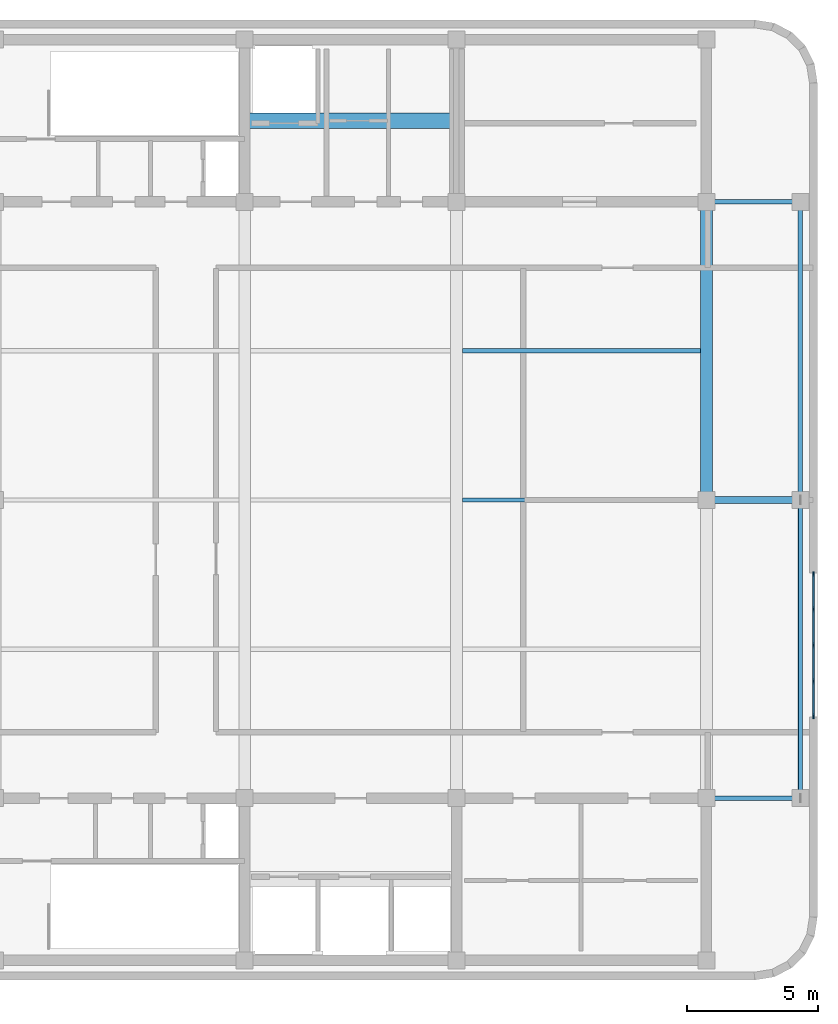
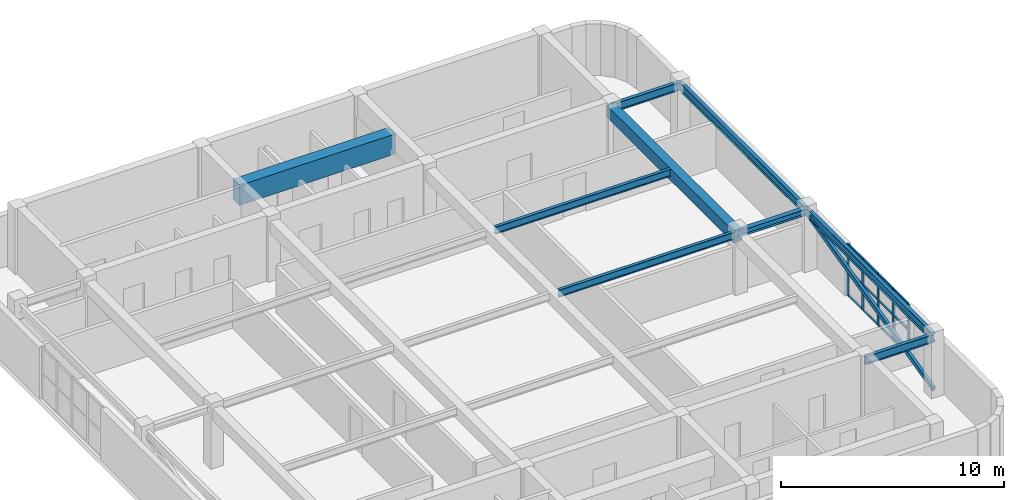
# One storey, part 3 of 9: 18 members, 9 beams, 1 element without a shape of its own.
"""IFC4 building model written with IfcOpenShell, lengths in metres."""

from ifc_helpers import new_model, si_unit, direction, frame, origin, origin_2d, place, context, subcontext, project, spatial, rectangle, hollow_rectangle, i_section, extrude, material, material_profile, profile_set, type_object, element, aggregate, save


model = new_model("IFC4")

# Units and contexts
model_context = context("Model", 3, precision=1e-05, world=origin(), true_north=direction((0.0, 1.0)))
body_context = subcontext(model_context, "Body", "Model", "MODEL_VIEW")
ifc_project = project(units=[si_unit("LENGTHUNIT", "METRE"), si_unit("AREAUNIT", "SQUARE_METRE"), si_unit("VOLUMEUNIT", "CUBIC_METRE"), si_unit("PLANEANGLEUNIT", "RADIAN"), si_unit("MASSUNIT", "GRAM", prefix="KILO")], contexts=[model_context])

# Site, building, storey
site_placement = place(None, origin())
site = spatial("IfcSite", under=ifc_project, at=site_placement, CompositionType="ELEMENT")
building_placement = place(site_placement, origin())
building = spatial("IfcBuilding", under=site, at=building_placement, Name="Svetorya Sky Lyceum", CompositionType="ELEMENT")
storey_placement = place(building_placement, frame((0.0, 0.0, 320.0)))
storey = spatial("IfcBuildingStorey", under=building, at=storey_placement, Name="C06", CompositionType="ELEMENT", Elevation=320.0)

# Beams
ifc_material_1 = material(Name="Concrete C60/75", Category="concrete")
ifc_material_profile_1 = material_profile(ifc_material_1, rectangle(XDim=0.60009765625, YDim=1.10009765625, at=origin_2d()), Name="RC COUPLING 600x1100")
ifc_profile_set_1 = profile_set([ifc_material_profile_1], Name="Concrete C60/75")
beam_type_1 = type_object("IfcBeamType", Name="BM-CPL-1100", PredefinedType="LINTEL", material=ifc_profile_set_1)
beam_1_placement = place(storey_placement, frame((35.14990234375, 42.699951171875, 2.760009765625), z_axis=(1.0, 0.0, 0.0), x_axis=(0.0, 1.0, 0.0)))
element("IfcBeam", 1, at=beam_1_placement, inside=storey, type_object=beam_type_1, Name="C06 NC Core Coupling Beam", PredefinedType="LINTEL", context=body_context, shape_type="SweptSolid", body=[
    extrude(rectangle(XDim=0.60009765625, YDim=1.10009765625, at=origin_2d()), origin(), (0.0, 0.0, 1.0), 8.10009765625),
])
ifc_material_2 = material(Name="Concrete C40/50", Category="concrete")
ifc_material_profile_2 = material_profile(ifc_material_2, rectangle(XDim=0.449951171875, YDim=0.64990234375, at=origin_2d()), Name="RC BEAM 450x650")
ifc_profile_set_2 = profile_set([ifc_material_profile_2], Name="Concrete C40/50")
beam_type_2 = type_object("IfcBeamType", Name="BM-RC-650", PredefinedType="BEAM", material=ifc_profile_set_2)
beam_2_placement = place(storey_placement, frame((52.800048828125, 28.199951171875, 2.985107421875), z_axis=(0.0, 1.0, 0.0), x_axis=(-1.0, 0.0, 0.0)))
element("IfcBeam", 2, at=beam_2_placement, inside=storey, type_object=beam_type_2, Name="C06 Central Bay Primary Girder CG-4B", PredefinedType="BEAM", context=body_context, shape_type="SweptSolid", body=[
    extrude(rectangle(XDim=0.449951171875, YDim=0.64990234375, at=origin_2d()), origin(), (0.0, 0.0, 1.0), 11.400146484375),
])
ifc_material_3 = material(Name="Steel S355", Category="steel")
ifc_material_profile_3 = material_profile(ifc_material_3, i_section(OverallWidth=0.25, OverallDepth=0.345947265625, WebThickness=0.009521484375, FlangeThickness=0.014404296875, at=origin_2d()), Name="GOST 35Sh2")
ifc_profile_set_3 = profile_set([ifc_material_profile_3], Name="Steel S355")
beam_type_3 = type_object("IfcBeamType", Name="BM-STL-35SH2", PredefinedType="BEAM", material=ifc_profile_set_3)
beam_3_placement = place(storey_placement, frame((52.800048828125, 28.199951171875, 3.136962890625), z_axis=(1.0, 0.0, 0.0), x_axis=(0.0, 1.0, 0.0)))
element("IfcBeam", 3, at=beam_3_placement, inside=storey, type_object=beam_type_3, Name="C06 East Wing Floor Joist E2", PredefinedType="BEAM", context=body_context, shape_type="SweptSolid", body=[
    extrude(i_section(OverallWidth=0.25, OverallDepth=0.345947265625, WebThickness=0.009521484375, FlangeThickness=0.014404296875, at=origin_2d()), origin(), (0.0, 0.0, 1.0), 3.58984375),
])
ifc_material_profile_4 = material_profile(ifc_material_3, i_section(OverallWidth=0.1650390625, OverallDepth=0.39990234375, WebThickness=0.008056640625, FlangeThickness=0.012939453125, at=origin_2d()), Name="GOST 40B2")
ifc_profile_set_4 = profile_set([ifc_material_profile_4], Name="Steel S355")
beam_type_4 = type_object("IfcBeamType", Name="BM-STL-40B2", PredefinedType="JOIST", material=ifc_profile_set_4)
for number, where, z_axis, x_axis, name in (
    (4, (43.47509765625, 28.199951171875, 3.110107421875), (1.0, 0.0, 0.0), (0.0, 1.0, 0.0), "C06 Central Floor Joist CJ-2.3"),
    (5, (43.47509765625, 33.89990234375, 3.110107421875), (1.0, 0.0, 0.0), (0.0, 1.0, 0.0), "C06 Central Floor Joist CJ-3.3"),
):
    element("IfcBeam", number, at=place(storey_placement, frame(where, z_axis=z_axis, x_axis=x_axis)), inside=storey, type_object=beam_type_4, Name=name, PredefinedType="JOIST", context=body_context, shape_type="SweptSolid", body=[
        extrude(i_section(OverallWidth=0.1650390625, OverallDepth=0.39990234375, WebThickness=0.008056640625, FlangeThickness=0.012939453125, at=origin_2d()), origin(), (0.0, 0.0, 1.0), 9.099853515625),
    ])
ifc_material_profile_5 = material_profile(ifc_material_3, i_section(OverallWidth=0.179931640625, OverallDepth=0.449951171875, WebThickness=0.009033203125, FlangeThickness=0.014404296875, at=origin_2d()), Name="GOST 45B2")
ifc_profile_set_5 = profile_set([ifc_material_profile_5], Name="Steel S355")
beam_type_5 = type_object("IfcBeamType", Name="BM-STL-45B2", PredefinedType="SPANDREL", material=ifc_profile_set_5)
for number, where, z_axis, x_axis, name in (
    (6, (52.800048828125, 16.800048828125, 3.0849609375), (1.0, 0.0, 0.0), (0.0, 1.0, 0.0), "C06 Tie Spandrel SE"),
    (7, (52.800048828125, 39.60009765625, 3.0849609375), (1.0, 0.0, 0.0), (0.0, 1.0, 0.0), "C06 Tie Spandrel NE"),
):
    element("IfcBeam", number, at=place(storey_placement, frame(where, z_axis=z_axis, x_axis=x_axis)), inside=storey, type_object=beam_type_5, Name=name, PredefinedType="SPANDREL", context=body_context, shape_type="SweptSolid", body=[
        extrude(i_section(OverallWidth=0.179931640625, OverallDepth=0.449951171875, WebThickness=0.009033203125, FlangeThickness=0.014404296875, at=origin_2d()), origin(), (0.0, 0.0, 1.0), 3.58984375),
    ])
beam_4_placement = place(storey_placement, frame((56.389892578125, 16.800048828125, 3.0849609375), z_axis=(0.0, 1.0, 0.0), x_axis=(-1.0, 0.0, 0.0)))
element("IfcBeam", 8, at=beam_4_placement, inside=storey, type_object=beam_type_5, Name="C06 East Spandrel 1", PredefinedType="SPANDREL", context=body_context, shape_type="SweptSolid", body=[
    extrude(i_section(OverallWidth=0.179931640625, OverallDepth=0.449951171875, WebThickness=0.009033203125, FlangeThickness=0.014404296875, at=origin_2d()), origin(), (0.0, 0.0, 1.0), 11.39990234375),
])
beam_5_placement = place(storey_placement, frame((56.389892578125, 28.199951171875, 3.0849609375), z_axis=(0.0, 1.0, 0.0), x_axis=(-1.0, 0.0, 0.0)))
element("IfcBeam", 9, at=beam_5_placement, inside=storey, type_object=beam_type_5, Name="C06 East Spandrel 2", PredefinedType="SPANDREL", context=body_context, shape_type="SweptSolid", body=[
    extrude(i_section(OverallWidth=0.179931640625, OverallDepth=0.449951171875, WebThickness=0.009033203125, FlangeThickness=0.014404296875, at=origin_2d()), origin(), (0.0, 0.0, 1.0), 11.400146484375),
])

# Curtain wall, members
ifc_material_4 = material(Name="Thermally broken anodized aluminium and triple low-E glass", Category="aluminium")
curtain_wall_type = type_object("IfcCurtainWallType", Name="CW5-LVR-PLT", PredefinedType="NOTDEFINED", material=ifc_material_4)
curtain_wall_placement = place(storey_placement, origin())
curtain_wall = element("IfcCurtainWall", 10, at=curtain_wall_placement, inside=storey, type_object=curtain_wall_type, Name="C06 Acoustic Plant Louvre Curtain Wall 12", PredefinedType="NOTDEFINED")
ifc_material_5 = material(Name="Thermally broken anodized aluminium EN AW-6060", Category="aluminium")
ifc_material_profile_6 = material_profile(ifc_material_5, rectangle(XDim=0.06494140625, YDim=0.179931640625, at=origin_2d()), Name="ALU MULLION 65x180")
ifc_profile_set_6 = profile_set([ifc_material_profile_6], Name="Thermally broken anodized aluminium EN AW-6060")
member_type_1 = type_object("IfcMemberType", Name="CWM-MUL-180", PredefinedType="MULLION", material=ifc_profile_set_6)
member_1_placement = place(storey_placement, frame((56.889892578125, 19.9326171875, 0.0), z_axis=(0.0, 0.0, 1.0), x_axis=(-1.0, 0.0, 0.0)))
member_1 = element("IfcMember", 11, at=member_1_placement, type_object=member_type_1, Name="CW-5 mullion 1", PredefinedType="MULLION", context=body_context, shape_type="SweptSolid", body=[
    extrude(rectangle(XDim=0.06494140625, YDim=0.179931640625, at=origin_2d()), origin(), (0.0, 0.0, 1.0), 2.830078125),
])
member_2_placement = place(storey_placement, frame((56.889892578125, 21.27490234375, 0.0), z_axis=(0.0, 0.0, 1.0), x_axis=(-1.0, 0.0, 0.0)))
member_2 = element("IfcMember", 12, at=member_2_placement, type_object=member_type_1, Name="CW-5 mullion 2", PredefinedType="MULLION", context=body_context, shape_type="SweptSolid", body=[
    extrude(rectangle(XDim=0.06494140625, YDim=0.179931640625, at=origin_2d()), origin(), (0.0, 0.0, 1.0), 2.830078125),
])
member_3_placement = place(storey_placement, frame((56.889892578125, 22.64990234375, 0.0), z_axis=(0.0, 0.0, 1.0), x_axis=(-1.0, 0.0, 0.0)))
member_3 = element("IfcMember", 13, at=member_3_placement, type_object=member_type_1, Name="CW-5 mullion 3", PredefinedType="MULLION", context=body_context, shape_type="SweptSolid", body=[
    extrude(rectangle(XDim=0.06494140625, YDim=0.179931640625, at=origin_2d()), origin(), (0.0, 0.0, 1.0), 2.830078125),
])
member_4_placement = place(storey_placement, frame((56.889892578125, 24.02490234375, 0.0), z_axis=(0.0, 0.0, 1.0), x_axis=(-1.0, 0.0, 0.0)))
member_4 = element("IfcMember", 14, at=member_4_placement, type_object=member_type_1, Name="CW-5 mullion 4", PredefinedType="MULLION", context=body_context, shape_type="SweptSolid", body=[
    extrude(rectangle(XDim=0.06494140625, YDim=0.179931640625, at=origin_2d()), origin(), (0.0, 0.0, 1.0), 2.830078125),
])
member_5_placement = place(storey_placement, frame((56.889892578125, 25.367431640625, 0.0), z_axis=(0.0, 0.0, 1.0), x_axis=(-1.0, 0.0, 0.0)))
member_5 = element("IfcMember", 15, at=member_5_placement, type_object=member_type_1, Name="CW-5 mullion 5", PredefinedType="MULLION", context=body_context, shape_type="SweptSolid", body=[
    extrude(rectangle(XDim=0.06494140625, YDim=0.179931640625, at=origin_2d()), origin(), (0.0, 0.0, 1.0), 2.830078125),
])
ifc_material_profile_7 = material_profile(ifc_material_5, rectangle(XDim=0.06494140625, YDim=0.139892578125, at=origin_2d()), Name="ALU TRANSOM 65x140")
ifc_profile_set_7 = profile_set([ifc_material_profile_7], Name="Thermally broken anodized aluminium EN AW-6060")
member_type_2 = type_object("IfcMemberType", Name="CWM-TRN-140", PredefinedType="USERDEFINED", material=ifc_profile_set_7)
member_6_placement = place(storey_placement, frame((56.889892578125, 19.96337890625, 0.032470703125), z_axis=(0.0, 1.0, 0.0), x_axis=(-1.0, 0.0, 0.0)))
member_6 = element("IfcMember", 16, at=member_6_placement, type_object=member_type_2, Name="CW-5 transom 1.1", ObjectType="TRANSOM", PredefinedType="USERDEFINED", context=body_context, shape_type="SweptSolid", body=[
    extrude(rectangle(XDim=0.06494140625, YDim=0.139892578125, at=origin_2d()), origin(), (0.0, 0.0, 1.0), 1.280517578125),
])
member_7_placement = place(storey_placement, frame((56.889892578125, 19.96337890625, 1.4150390625), z_axis=(0.0, 1.0, 0.0), x_axis=(-1.0, 0.0, 0.0)))
member_7 = element("IfcMember", 17, at=member_7_placement, type_object=member_type_2, Name="CW-5 transom 1.2", ObjectType="TRANSOM", PredefinedType="USERDEFINED", context=body_context, shape_type="SweptSolid", body=[
    extrude(rectangle(XDim=0.06494140625, YDim=0.139892578125, at=origin_2d()), origin(), (0.0, 0.0, 1.0), 1.280517578125),
])
member_8_placement = place(storey_placement, frame((56.889892578125, 19.96337890625, 2.797607421875), z_axis=(0.0, 1.0, 0.0), x_axis=(-1.0, 0.0, 0.0)))
member_8 = element("IfcMember", 18, at=member_8_placement, type_object=member_type_2, Name="CW-5 transom 1.3", ObjectType="TRANSOM", PredefinedType="USERDEFINED", context=body_context, shape_type="SweptSolid", body=[
    extrude(rectangle(XDim=0.06494140625, YDim=0.139892578125, at=origin_2d()), origin(), (0.0, 0.0, 1.0), 1.280517578125),
])
member_9_placement = place(storey_placement, frame((56.889892578125, 21.305908203125, 0.032470703125), z_axis=(0.0, 1.0, 0.0), x_axis=(-1.0, 0.0, 0.0)))
member_9 = element("IfcMember", 19, at=member_9_placement, type_object=member_type_2, Name="CW-5 transom 2.1", ObjectType="TRANSOM", PredefinedType="USERDEFINED", context=body_context, shape_type="SweptSolid", body=[
    extrude(rectangle(XDim=0.06494140625, YDim=0.139892578125, at=origin_2d()), origin(), (0.0, 0.0, 1.0), 1.31298828125),
])
member_10_placement = place(storey_placement, frame((56.889892578125, 21.305908203125, 1.4150390625), z_axis=(0.0, 1.0, 0.0), x_axis=(-1.0, 0.0, 0.0)))
member_10 = element("IfcMember", 20, at=member_10_placement, type_object=member_type_2, Name="CW-5 transom 2.2", ObjectType="TRANSOM", PredefinedType="USERDEFINED", context=body_context, shape_type="SweptSolid", body=[
    extrude(rectangle(XDim=0.06494140625, YDim=0.139892578125, at=origin_2d()), origin(), (0.0, 0.0, 1.0), 1.31298828125),
])
member_11_placement = place(storey_placement, frame((56.889892578125, 21.305908203125, 2.797607421875), z_axis=(0.0, 1.0, 0.0), x_axis=(-1.0, 0.0, 0.0)))
member_11 = element("IfcMember", 21, at=member_11_placement, type_object=member_type_2, Name="CW-5 transom 2.3", ObjectType="TRANSOM", PredefinedType="USERDEFINED", context=body_context, shape_type="SweptSolid", body=[
    extrude(rectangle(XDim=0.06494140625, YDim=0.139892578125, at=origin_2d()), origin(), (0.0, 0.0, 1.0), 1.31298828125),
])
member_12_placement = place(storey_placement, frame((56.889892578125, 22.680908203125, 0.032470703125), z_axis=(0.0, 1.0, 0.0), x_axis=(-1.0, 0.0, 0.0)))
member_12 = element("IfcMember", 22, at=member_12_placement, type_object=member_type_2, Name="CW-5 transom 3.1", ObjectType="TRANSOM", PredefinedType="USERDEFINED", context=body_context, shape_type="SweptSolid", body=[
    extrude(rectangle(XDim=0.06494140625, YDim=0.139892578125, at=origin_2d()), origin(), (0.0, 0.0, 1.0), 1.31298828125),
])
member_13_placement = place(storey_placement, frame((56.889892578125, 22.680908203125, 1.4150390625), z_axis=(0.0, 1.0, 0.0), x_axis=(-1.0, 0.0, 0.0)))
member_13 = element("IfcMember", 23, at=member_13_placement, type_object=member_type_2, Name="CW-5 transom 3.2", ObjectType="TRANSOM", PredefinedType="USERDEFINED", context=body_context, shape_type="SweptSolid", body=[
    extrude(rectangle(XDim=0.06494140625, YDim=0.139892578125, at=origin_2d()), origin(), (0.0, 0.0, 1.0), 1.31298828125),
])
member_14_placement = place(storey_placement, frame((56.889892578125, 22.680908203125, 2.797607421875), z_axis=(0.0, 1.0, 0.0), x_axis=(-1.0, 0.0, 0.0)))
member_14 = element("IfcMember", 24, at=member_14_placement, type_object=member_type_2, Name="CW-5 transom 3.3", ObjectType="TRANSOM", PredefinedType="USERDEFINED", context=body_context, shape_type="SweptSolid", body=[
    extrude(rectangle(XDim=0.06494140625, YDim=0.139892578125, at=origin_2d()), origin(), (0.0, 0.0, 1.0), 1.31298828125),
])
member_15_placement = place(storey_placement, frame((56.889892578125, 24.055908203125, 0.032470703125), z_axis=(0.0, 1.0, 0.0), x_axis=(-1.0, 0.0, 0.0)))
member_15 = element("IfcMember", 25, at=member_15_placement, type_object=member_type_2, Name="CW-5 transom 4.1", ObjectType="TRANSOM", PredefinedType="USERDEFINED", context=body_context, shape_type="SweptSolid", body=[
    extrude(rectangle(XDim=0.06494140625, YDim=0.139892578125, at=origin_2d()), origin(), (0.0, 0.0, 1.0), 1.280517578125),
])
member_16_placement = place(storey_placement, frame((56.889892578125, 24.055908203125, 1.4150390625), z_axis=(0.0, 1.0, 0.0), x_axis=(-1.0, 0.0, 0.0)))
member_16 = element("IfcMember", 26, at=member_16_placement, type_object=member_type_2, Name="CW-5 transom 4.2", ObjectType="TRANSOM", PredefinedType="USERDEFINED", context=body_context, shape_type="SweptSolid", body=[
    extrude(rectangle(XDim=0.06494140625, YDim=0.139892578125, at=origin_2d()), origin(), (0.0, 0.0, 1.0), 1.280517578125),
])
member_17_placement = place(storey_placement, frame((56.889892578125, 24.055908203125, 2.797607421875), z_axis=(0.0, 1.0, 0.0), x_axis=(-1.0, 0.0, 0.0)))
member_17 = element("IfcMember", 27, at=member_17_placement, type_object=member_type_2, Name="CW-5 transom 4.3", ObjectType="TRANSOM", PredefinedType="USERDEFINED", context=body_context, shape_type="SweptSolid", body=[
    extrude(rectangle(XDim=0.06494140625, YDim=0.139892578125, at=origin_2d()), origin(), (0.0, 0.0, 1.0), 1.280517578125),
])
aggregate(curtain_wall, [member_1, member_2, member_3, member_4, member_5, member_6, member_7, member_8, member_9, member_10, member_11, member_12, member_13, member_14, member_15, member_16, member_17])

# Member
ifc_material_profile_8 = material_profile(ifc_material_3, hollow_rectangle(XDim=0.14990234375, YDim=0.25, WallThickness=0.010009765625, at=origin_2d()), Name="RHS 250x150x10")
ifc_profile_set_8 = profile_set([ifc_material_profile_8], Name="Steel S355")
member_type_3 = type_object("IfcMemberType", Name="MB-BRC-RHS250", PredefinedType="BRACE", material=ifc_profile_set_8)
member_18_placement = place(storey_placement, frame((56.389892578125, 16.800048828125, 0.25), z_axis=(0.0, 0.971920395402, 0.235309891421), x_axis=(-1.0, 0.0, 0.0)))
element("IfcMember", 28, at=member_18_placement, inside=storey, type_object=member_type_3, Name="C06 Crown Perimeter Frame Brace E", PredefinedType="BRACE", context=body_context, shape_type="SweptSolid", body=[
    extrude(hollow_rectangle(XDim=0.14990234375, YDim=0.25, WallThickness=0.010009765625, at=origin_2d()), origin(), (0.0, 0.0, 1.0), 11.729248046875),
])

save(model, "model.ifc")
